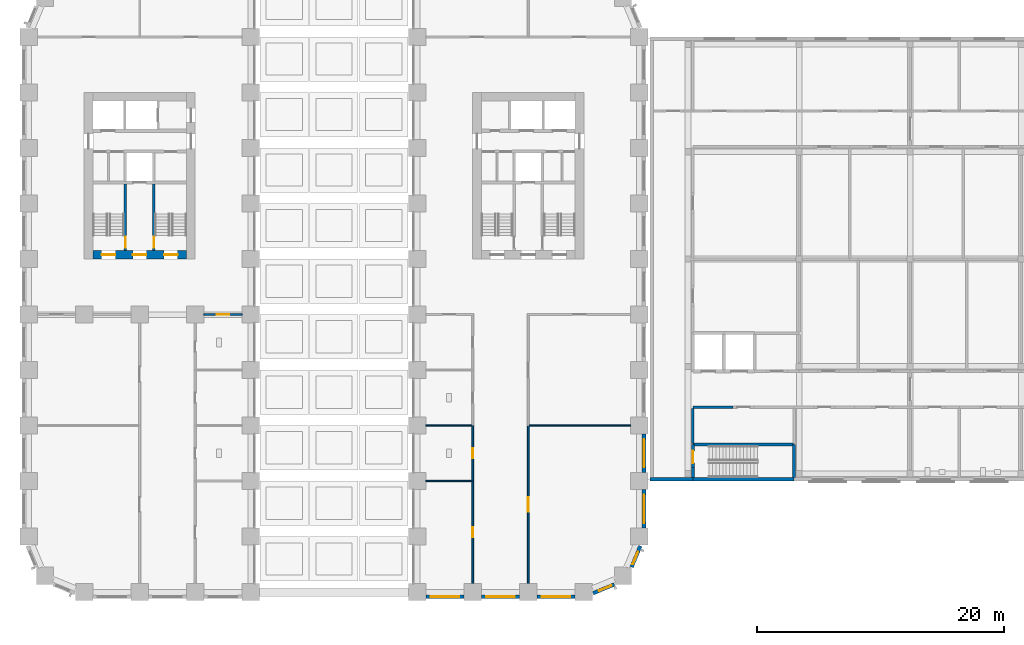
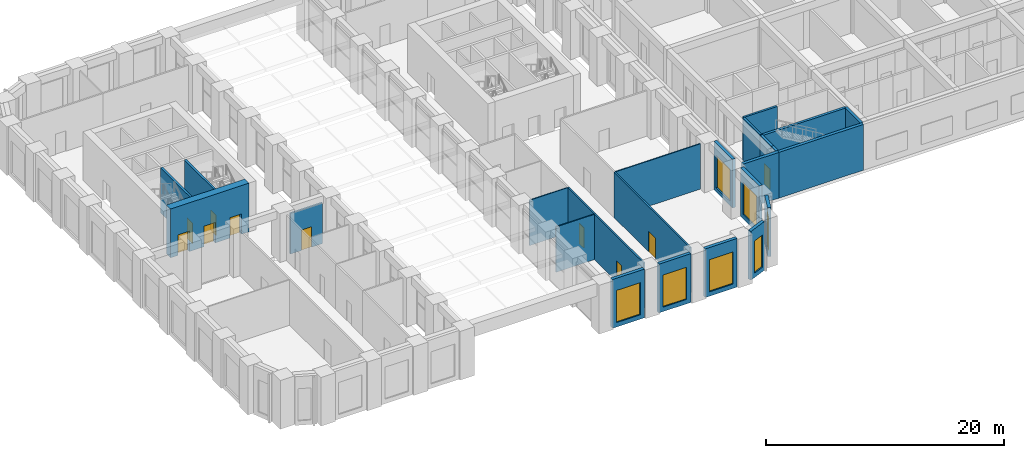
# One storey, part 9 of 24: 25 walls, 10 doors, 7 windows, 17 openings.
"""IFC4 building model written with IfcOpenShell, lengths in metres."""

from ifc_helpers import new_model, si_unit, direction, frame, frame_2d, origin, place, context, subcontext, project, spatial, rectangle, extrude, material, layer, layer_set, type_object, element, fill, save


model = new_model("IFC4")

# Units and contexts
model_context = context("Model", 3, precision=1e-05, world=origin(), true_north=direction((0.0, 1.0)))
body_context = subcontext(model_context, "Body", "Model", "MODEL_VIEW")
ifc_project = project(units=[si_unit("LENGTHUNIT", "METRE"), si_unit("AREAUNIT", "SQUARE_METRE"), si_unit("VOLUMEUNIT", "CUBIC_METRE"), si_unit("PLANEANGLEUNIT", "RADIAN"), si_unit("MASSUNIT", "GRAM", prefix="KILO")], contexts=[model_context])

# Site, building, storey
site_placement = place(None, origin())
site = spatial("IfcSite", under=ifc_project, at=site_placement, CompositionType="ELEMENT")
building_placement = place(site_placement, origin())
building = spatial("IfcBuilding", under=site, at=building_placement, Name="Girih Gate Residences", CompositionType="ELEMENT")
storey_placement = place(building_placement, frame((0.0, 0.0, 16.0)))
storey = spatial("IfcBuildingStorey", under=building, at=storey_placement, Name="L03", CompositionType="ELEMENT", Elevation=16.0)

# Wall, opening, door
ifc_material_1 = material(Name="Gypsum board on steel studs", Category="steel")
ifc_layer_1 = layer(ifc_material_1, 0.14990234375)
ifc_layer_set_1 = layer_set([ifc_layer_1], Name="Compartment wall 150 mm")
wall_type_1 = type_object("IfcWallType", Name="Compartment wall 150 mm", PredefinedType="PARTITIONING", material=ifc_layer_set_1)
wall_1_placement = place(storey_placement, frame((36.0, 0.699951171875, 0.0), z_axis=(0.0, 0.0, 1.0), x_axis=(0.0, 1.0, 0.0)))
wall_1 = element("IfcWall", 1, at=wall_1_placement, inside=storey, type_object=wall_type_1, Name="L03 partition", PredefinedType="PARTITIONING", context=body_context, shape_type="SweptSolid", body=[
    extrude(rectangle(XDim=8.300048828125, YDim=0.14990234375, at=frame_2d((4.14990234375, 0.0))), origin(), (0.0, 0.0, 1.0), 4.64990234375),
])
opening_1_placement = place(wall_1_placement, frame((3.75, 0.0, 0.0)))
opening_1 = element("IfcOpeningElement", 2, at=opening_1_placement, cuts=wall_1, Name="Opening D-L03-S-001", PredefinedType="OPENING", context=body_context, shape_type="SweptSolid", body=[
    extrude(rectangle(XDim=0.800048828125, YDim=2.10009765625, at=frame_2d((0.39990234375, 1.050048828125))), frame((0.0, 0.0849609375, 0.0), z_axis=(0.0, -1.0, 0.0), x_axis=(1.0, 0.0, 0.0)), (0.0, 0.0, 1.0), 0.169921875),
])
ifc_material_2 = material(Name="Timber", Category="wood")
door_type_1 = type_object("IfcDoorType", Name="WC and store door 800x2100", OperationType="SINGLE_SWING_LEFT", PredefinedType="DOOR", material=ifc_material_2)
door_1_placement = place(opening_1_placement, origin())
door_1 = element("IfcDoor", 3, at=door_1_placement, inside=storey, type_object=door_type_1, Name="Door L03-001", OperationType="SINGLE_SWING_LEFT", OverallHeight=2.10009765625, OverallWidth=0.800048828125, PredefinedType="DOOR", context=body_context, shape_type="SweptSolid", body=[
    extrude(rectangle(XDim=0.800048828125, YDim=2.10009765625, at=frame_2d((0.39990234375, 1.050048828125))), frame((0.0, 0.02490234375, 0.0), z_axis=(0.0, -1.0, 0.0), x_axis=(1.0, 0.0, 0.0)), (0.0, 0.0, 1.0), 0.050048828125),
])
fill(opening_1, door_1)

wall_2_placement = place(storey_placement, frame((36.0, 9.0, 0.0), z_axis=(0.0, 0.0, 1.0), x_axis=(0.0, 1.0, 0.0)))
wall_2 = element("IfcWall", 4, at=wall_2_placement, inside=storey, type_object=wall_type_1, Name="L03 partition", PredefinedType="PARTITIONING", context=body_context, shape_type="SweptSolid", body=[
    extrude(rectangle(XDim=4.5, YDim=0.14990234375, at=frame_2d((2.25, 0.0))), origin(), (0.0, 0.0, 1.0), 4.64990234375),
])
opening_2_placement = place(wall_2_placement, frame((1.85009765625, 0.0, 0.0)))
opening_2 = element("IfcOpeningElement", 5, at=opening_2_placement, cuts=wall_2, Name="Opening D-L03-S-002", PredefinedType="OPENING", context=body_context, shape_type="SweptSolid", body=[
    extrude(rectangle(XDim=0.800048828125, YDim=2.10009765625, at=frame_2d((0.39990234375, 1.050048828125))), frame((0.0, 0.0849609375, 0.0), z_axis=(0.0, -1.0, 0.0), x_axis=(1.0, 0.0, 0.0)), (0.0, 0.0, 1.0), 0.169921875),
])
door_2_placement = place(opening_2_placement, origin())
door_2 = element("IfcDoor", 6, at=door_2_placement, inside=storey, type_object=door_type_1, Name="Door L03-002", OperationType="SINGLE_SWING_RIGHT", OverallHeight=2.10009765625, OverallWidth=0.800048828125, PredefinedType="DOOR", context=body_context, shape_type="SweptSolid", body=[
    extrude(rectangle(XDim=0.800048828125, YDim=2.10009765625, at=frame_2d((0.39990234375, 1.050048828125))), frame((0.0, 0.02490234375, 0.0), z_axis=(0.0, -1.0, 0.0), x_axis=(1.0, 0.0, 0.0)), (0.0, 0.0, 1.0), 0.050048828125),
])
fill(opening_2, door_2)

wall_3_placement = place(storey_placement, frame((40.5, 13.5, 0.0), z_axis=(0.0, 0.0, 1.0), x_axis=(0.0, -1.0, 0.0)))
wall_3 = element("IfcWall", 7, at=wall_3_placement, inside=storey, type_object=wall_type_1, Name="L03 partition", PredefinedType="PARTITIONING", context=body_context, shape_type="SweptSolid", body=[
    extrude(rectangle(XDim=12.800048828125, YDim=0.14990234375, at=frame_2d((6.39990234375, 0.0))), origin(), (0.0, 0.0, 1.0), 4.64990234375),
])
opening_3_placement = place(wall_3_placement, frame((5.800048828125, 0.0, 0.0)))
opening_3 = element("IfcOpeningElement", 8, at=opening_3_placement, cuts=wall_3, Name="Opening D-L03-S-006", PredefinedType="OPENING", context=body_context, shape_type="SweptSolid", body=[
    extrude(rectangle(XDim=1.199951171875, YDim=2.10009765625, at=frame_2d((0.60009765625, 1.050048828125))), frame((0.0, 0.0849609375, 0.0), z_axis=(0.0, -1.0, 0.0), x_axis=(1.0, 0.0, 0.0)), (0.0, 0.0, 1.0), 0.169921875),
])
ifc_material_3 = material(Name="Timber, fire-rated core", Category="wood")
door_type_2 = type_object("IfcDoorType", Name="Gallery fire door 1200x2100 FD30S", OperationType="SINGLE_SWING_LEFT", PredefinedType="DOOR", material=ifc_material_3)
door_3_placement = place(opening_3_placement, origin())
door_3 = element("IfcDoor", 9, at=door_3_placement, inside=storey, type_object=door_type_2, Name="Door L03-006", OperationType="SINGLE_SWING_RIGHT", OverallHeight=2.10009765625, OverallWidth=1.199951171875, PredefinedType="DOOR", context=body_context, shape_type="SweptSolid", body=[
    extrude(rectangle(XDim=1.199951171875, YDim=2.10009765625, at=frame_2d((0.60009765625, 1.050048828125))), frame((0.0, 0.02490234375, 0.0), z_axis=(0.0, -1.0, 0.0), x_axis=(1.0, 0.0, 0.0)), (0.0, 0.0, 1.0), 0.050048828125),
])
fill(opening_3, door_3)

wall_4_placement = place(storey_placement, frame((17.300048828125, 22.5, 0.0), z_axis=(0.0, 0.0, 1.0), x_axis=(-1.0, 0.0, 0.0)))
wall_4 = element("IfcWall", 10, at=wall_4_placement, inside=storey, type_object=wall_type_1, Name="L03 partition", PredefinedType="PARTITIONING", context=body_context, shape_type="SweptSolid", body=[
    extrude(rectangle(XDim=3.10009765625, YDim=0.14990234375, at=frame_2d((1.550048828125, 0.0))), origin(), (0.0, 0.0, 1.0), 4.179931640625),
])
opening_4_placement = place(wall_4_placement, frame((1.050048828125, 0.0, 0.0)))
opening_4 = element("IfcOpeningElement", 11, at=opening_4_placement, cuts=wall_4, Name="Opening D-L03-S-014", PredefinedType="OPENING", context=body_context, shape_type="SweptSolid", body=[
    extrude(rectangle(XDim=1.0, YDim=2.10009765625, at=frame_2d((0.5, 1.050048828125))), frame((0.0, 0.0849609375, 0.0), z_axis=(0.0, -1.0, 0.0), x_axis=(1.0, 0.0, 0.0)), (0.0, 0.0, 1.0), 0.169921875),
])
door_type_3 = type_object("IfcDoorType", Name="Amenity door 1000x2100 FD30S", OperationType="SINGLE_SWING_LEFT", PredefinedType="DOOR", material=ifc_material_3)
door_4_placement = place(opening_4_placement, origin())
door_4 = element("IfcDoor", 12, at=door_4_placement, inside=storey, type_object=door_type_3, Name="Door L03-014", OperationType="SINGLE_SWING_RIGHT", OverallHeight=2.10009765625, OverallWidth=1.0, PredefinedType="DOOR", context=body_context, shape_type="SweptSolid", body=[
    extrude(rectangle(XDim=1.0, YDim=2.10009765625, at=frame_2d((0.5, 1.050048828125))), frame((0.0, 0.02490234375, 0.0), z_axis=(0.0, -1.0, 0.0), x_axis=(1.0, 0.0, 0.0)), (0.0, 0.0, 1.0), 0.050048828125),
])
fill(opening_4, door_4)

# Wall, openings, doors
ifc_material_4 = material(Name="Concrete C60/75", Category="concrete")
ifc_layer_2 = layer(ifc_material_4, 0.699951171875)
ifc_layer_set_2 = layer_set([ifc_layer_2], Name="Core wall RC 700 Concrete C60/75")
wall_type_2 = type_object("IfcWallType", Name="Core wall RC 700 Concrete C60/75", PredefinedType="SOLIDWALL", material=ifc_layer_set_2)
wall_5_placement = place(storey_placement, frame((5.199951171875, 27.35009765625, 0.0), z_axis=(0.0, 0.0, 1.0), x_axis=(1.0, 0.0, 0.0)))
wall_5 = element("IfcWall", 13, at=wall_5_placement, inside=storey, type_object=wall_type_2, Name="Core wall W-S L03", PredefinedType="SOLIDWALL", context=body_context, shape_type="SweptSolid", body=[
    extrude(rectangle(XDim=7.60009765625, YDim=0.699951171875, at=frame_2d((3.800048828125, 0.0))), origin(), (0.0, 0.0, 1.0), 5.0),
])
opening_5_placement = place(wall_5_placement, frame((0.72509765625, 0.0, 0.0)))
opening_5 = element("IfcOpeningElement", 14, at=opening_5_placement, cuts=wall_5, Name="Opening D-L03-W-009", PredefinedType="OPENING", context=body_context, shape_type="SweptSolid", body=[
    extrude(rectangle(XDim=1.10009765625, YDim=2.10009765625, at=frame_2d((0.550048828125, 1.050048828125))), frame((0.0, 0.35986328125, 0.0), z_axis=(0.0, -1.0, 0.0), x_axis=(1.0, 0.0, 0.0)), (0.0, 0.0, 1.0), 0.719970703125),
])
opening_6_placement = place(wall_5_placement, frame((3.25, 0.0, 0.0)))
opening_6 = element("IfcOpeningElement", 15, at=opening_6_placement, cuts=wall_5, Name="Opening D-L03-W-010", PredefinedType="OPENING", context=body_context, shape_type="SweptSolid", body=[
    extrude(rectangle(XDim=1.10009765625, YDim=2.10009765625, at=frame_2d((0.550048828125, 1.050048828125))), frame((0.0, 0.35986328125, 0.0), z_axis=(0.0, -1.0, 0.0), x_axis=(1.0, 0.0, 0.0)), (0.0, 0.0, 1.0), 0.719970703125),
])
opening_7_placement = place(wall_5_placement, frame((5.77490234375, 0.0, 0.0)))
opening_7 = element("IfcOpeningElement", 16, at=opening_7_placement, cuts=wall_5, Name="Opening D-L03-W-011", PredefinedType="OPENING", context=body_context, shape_type="SweptSolid", body=[
    extrude(rectangle(XDim=1.10009765625, YDim=2.10009765625, at=frame_2d((0.550048828125, 1.050048828125))), frame((0.0, 0.35986328125, 0.0), z_axis=(0.0, -1.0, 0.0), x_axis=(1.0, 0.0, 0.0)), (0.0, 0.0, 1.0), 0.719970703125),
])
ifc_material_5 = material(Name="Painted steel, fire-resisting", Category="steel")
door_type_4 = type_object("IfcDoorType", Name="Fire door 1100x2100", OperationType="SINGLE_SWING_LEFT", PredefinedType="DOOR", material=ifc_material_5)
door_5_placement = place(opening_5_placement, origin())
door_5 = element("IfcDoor", 17, at=door_5_placement, inside=storey, type_object=door_type_4, Name="L03 W core door sta-out", OperationType="SINGLE_SWING_LEFT", OverallHeight=2.10009765625, OverallWidth=1.10009765625, PredefinedType="DOOR", context=body_context, shape_type="SweptSolid", body=[
    extrude(rectangle(XDim=1.10009765625, YDim=2.10009765625, at=frame_2d((0.550048828125, 1.050048828125))), frame((0.0, 0.02490234375, 0.0), z_axis=(0.0, -1.0, 0.0), x_axis=(1.0, 0.0, 0.0)), (0.0, 0.0, 1.0), 0.050048828125),
])
fill(opening_5, door_5)
door_6_placement = place(opening_6_placement, origin())
door_6 = element("IfcDoor", 18, at=door_6_placement, inside=storey, type_object=door_type_4, Name="L03 W core door ffl-out", OperationType="SINGLE_SWING_LEFT", OverallHeight=2.10009765625, OverallWidth=1.10009765625, PredefinedType="DOOR", context=body_context, shape_type="SweptSolid", body=[
    extrude(rectangle(XDim=1.10009765625, YDim=2.10009765625, at=frame_2d((0.550048828125, 1.050048828125))), frame((0.0, 0.02490234375, 0.0), z_axis=(0.0, -1.0, 0.0), x_axis=(1.0, 0.0, 0.0)), (0.0, 0.0, 1.0), 0.050048828125),
])
fill(opening_6, door_6)
door_7_placement = place(opening_7_placement, origin())
door_7 = element("IfcDoor", 19, at=door_7_placement, inside=storey, type_object=door_type_4, Name="L03 W core door stb-out", OperationType="SINGLE_SWING_LEFT", OverallHeight=2.10009765625, OverallWidth=1.10009765625, PredefinedType="DOOR", context=body_context, shape_type="SweptSolid", body=[
    extrude(rectangle(XDim=1.10009765625, YDim=2.10009765625, at=frame_2d((0.550048828125, 1.050048828125))), frame((0.0, 0.02490234375, 0.0), z_axis=(0.0, -1.0, 0.0), x_axis=(1.0, 0.0, 0.0)), (0.0, 0.0, 1.0), 0.050048828125),
])
fill(opening_7, door_7)

# Walls
ifc_material_6 = material(Name="Fire-rated gypsum partition")
ifc_layer_3 = layer(ifc_material_6, 0.199951171875)
ifc_layer_set_3 = layer_set([ifc_layer_3], Name="HC Corridor wall 200 EI 60")
wall_type_3 = type_object("IfcWallType", Name="HC Corridor wall 200 EI 60", PredefinedType="PARTITIONING", material=ifc_layer_set_3)
wall_6_placement = place(storey_placement, frame((53.85009765625, 15.0, 0.0), z_axis=(0.0, 0.0, 1.0), x_axis=(1.0, 0.0, 0.0)))
element("IfcWall", 20, at=wall_6_placement, inside=storey, type_object=wall_type_3, Name="L03 wall x15.00/53.9", PredefinedType="PARTITIONING", context=body_context, shape_type="SweptSolid", body=[
    extrude(rectangle(XDim=3.25, YDim=0.199951171875, at=frame_2d((1.625, 0.0))), origin(), (0.0, 0.0, 1.0), 4.699951171875),
])
wall_7_placement = place(storey_placement, frame((53.85009765625, 12.050048828125, 0.0), z_axis=(0.0, 0.0, 1.0), x_axis=(0.0, 1.0, 0.0)))
element("IfcWall", 21, at=wall_7_placement, inside=storey, type_object=wall_type_3, Name="L03 wall y53.85/12.1", PredefinedType="PARTITIONING", context=body_context, shape_type="SweptSolid", body=[
    extrude(rectangle(XDim=2.849853515625, YDim=0.199951171875, at=frame_2d((1.4248046875, 0.0))), origin(), (0.0, 0.0, 1.0), 4.699951171875),
])
ifc_material_7 = material(Name="Precast concrete C40/50", Category="concrete")
ifc_layer_4 = layer(ifc_material_7, 0.300048828125)
ifc_layer_set_4 = layer_set([ifc_layer_4], Name="HC Facade wall 300")
wall_type_4 = type_object("IfcWallType", Name="HC Facade wall 300", PredefinedType="SOLIDWALL", material=ifc_layer_set_4)
wall_8_placement = place(storey_placement, frame((53.85009765625, 9.14990234375, 0.0), z_axis=(0.0, 0.0, 1.0), x_axis=(-1.0, 0.0, 0.0)))
element("IfcWall", 22, at=wall_8_placement, inside=storey, type_object=wall_type_4, Name="L03 south facade wall", PredefinedType="SOLIDWALL", context=body_context, shape_type="SweptSolid", body=[
    extrude(rectangle(XDim=3.5, YDim=0.300048828125, at=frame_2d((1.75, 0.0))), origin(), (0.0, 0.0, 1.0), 4.699951171875),
])
ifc_material_8 = material(Name="Concrete C40/50", Category="concrete")
ifc_layer_5 = layer(ifc_material_8, 0.25)
ifc_layer_set_5 = layer_set([ifc_layer_5], Name="HC Shaft wall 250 C40/50")
wall_type_5 = type_object("IfcWallType", Name="HC Shaft wall 250 C40/50", PredefinedType="SHEAR", material=ifc_layer_set_5)
wall_9_placement = place(storey_placement, frame((53.85009765625, 11.949951171875, 0.0), z_axis=(0.0, 0.0, 1.0), x_axis=(1.0, 0.0, 0.0)))
element("IfcWall", 23, at=wall_9_placement, inside=storey, type_object=wall_type_5, Name="L03 wall x11.95/53.9", PredefinedType="SHEAR", context=body_context, shape_type="SweptSolid", body=[
    extrude(rectangle(XDim=8.199951171875, YDim=0.25, at=frame_2d((4.10009765625, 0.0))), origin(), (0.0, 0.0, 1.0), 4.699951171875),
])
wall_10_placement = place(storey_placement, frame((53.85009765625, 9.300048828125, 0.0), z_axis=(0.0, 0.0, 1.0), x_axis=(0.0, 1.0, 0.0)))
element("IfcWall", 24, at=wall_10_placement, inside=storey, type_object=wall_type_5, Name="L03 wall y53.85/9.3", PredefinedType="SHEAR", context=body_context, shape_type="SweptSolid", body=[
    extrude(rectangle(XDim=0.800048828125, YDim=0.25, at=frame_2d((0.39990234375, 0.0))), origin(), (0.0, 0.0, 1.0), 4.699951171875),
])

# Wall, opening, door
wall_11_placement = place(storey_placement, frame((53.85009765625, 10.10009765625, 0.0), z_axis=(0.0, 0.0, 1.0), x_axis=(0.0, 1.0, 0.0)))
wall_11 = element("IfcWall", 25, at=wall_11_placement, inside=storey, type_object=wall_type_5, Name="L03 wall y53.85/10.1", PredefinedType="SHEAR", context=body_context, shape_type="SweptSolid", body=[
    extrude(rectangle(XDim=1.849853515625, YDim=0.25, at=frame_2d((0.9248046875, 0.0))), origin(), (0.0, 0.0, 1.0), 4.699951171875),
])
opening_8_placement = place(wall_11_placement, frame((0.35009765625, 0.0, 0.0)))
opening_8 = element("IfcOpeningElement", 26, at=opening_8_placement, cuts=wall_11, Name="Opening HC-L03-D01", PredefinedType="OPENING", context=body_context, shape_type="SweptSolid", body=[
    extrude(rectangle(XDim=1.0, YDim=2.10009765625, at=frame_2d((0.5, 1.050048828125))), frame((0.0, 0.135009765625, 0.0), z_axis=(0.0, -1.0, 0.0), x_axis=(1.0, 0.0, 0.0)), (0.0, 0.0, 1.0), 0.27001953125),
])
ifc_material_9 = material(Name="Steel door set", Category="steel")
door_type_5 = type_object("IfcDoorType", Name="HC Stair door 1000x2100 FD60", OperationType="NOTDEFINED", PredefinedType="DOOR", material=ifc_material_9)
door_8_placement = place(opening_8_placement, origin())
door_8 = element("IfcDoor", 27, at=door_8_placement, inside=storey, type_object=door_type_5, Name="L03 Stair A door", OperationType="SINGLE_SWING_LEFT", OverallHeight=2.10009765625, OverallWidth=1.0, PredefinedType="DOOR", context=body_context, shape_type="SweptSolid", body=[
    extrude(rectangle(XDim=1.0, YDim=2.10009765625, at=frame_2d((0.5, 1.050048828125))), frame((0.0, 0.02490234375, 0.0), z_axis=(0.0, -1.0, 0.0), x_axis=(1.0, 0.0, 0.0)), (0.0, 0.0, 1.0), 0.050048828125),
])
fill(opening_8, door_8)

# Walls
wall_12_placement = place(storey_placement, frame((62.050048828125, 9.300048828125, 0.0), z_axis=(0.0, 0.0, 1.0), x_axis=(0.0, 1.0, 0.0)))
element("IfcWall", 28, at=wall_12_placement, inside=storey, type_object=wall_type_5, Name="L03 wall y62.05/9.3", PredefinedType="SHEAR", context=body_context, shape_type="SweptSolid", body=[
    extrude(rectangle(XDim=2.64990234375, YDim=0.25, at=frame_2d((1.324951171875, 0.0))), origin(), (0.0, 0.0, 1.0), 4.699951171875),
])
ifc_layer_6 = layer(ifc_material_7, 0.300048828125)
ifc_layer_set_6 = layer_set([ifc_layer_6], Name="HC Stair shaft facade wall 300")
wall_type_6 = type_object("IfcWallType", Name="HC Stair shaft facade wall 300", PredefinedType="SHEAR", material=ifc_layer_set_6)
wall_13_placement = place(storey_placement, frame((62.050048828125, 9.14990234375, 0.0), z_axis=(0.0, 0.0, 1.0), x_axis=(-1.0, 0.0, 0.0)))
element("IfcWall", 29, at=wall_13_placement, inside=storey, type_object=wall_type_6, Name="L03 south facade wall over stair A", PredefinedType="SHEAR", context=body_context, shape_type="SweptSolid", body=[
    extrude(rectangle(XDim=8.199951171875, YDim=0.300048828125, at=frame_2d((4.10009765625, 0.0))), origin(), (0.0, 0.0, 1.0), 4.699951171875),
])
ifc_layer_7 = layer(ifc_material_1, 0.10009765625)
ifc_layer_set_7 = layer_set([ifc_layer_7], Name="Partition 100 mm")
wall_type_7 = type_object("IfcWallType", Name="Partition 100 mm", PredefinedType="PARTITIONING", material=ifc_layer_set_7)
for number, where, z_axis, x_axis, name in (
    (30, (32.199951171875, 9.0, 0.0), (0.0, 0.0, 1.0), (1.0, 0.0, 0.0), "L03 partition"),
    (31, (32.199951171875, 13.5, 0.0), (0.0, 0.0, 1.0), (1.0, 0.0, 0.0), "L03 partition"),
):
    element("IfcWall", number, at=place(storey_placement, frame(where, z_axis=z_axis, x_axis=x_axis)), inside=storey, type_object=wall_type_7, Name=name, PredefinedType="PARTITIONING", context=body_context, shape_type="SweptSolid", body=[
        extrude(rectangle(XDim=3.72509765625, YDim=0.10009765625, at=frame_2d((1.862548828125, 0.0))), origin(), (0.0, 0.0, 1.0), 4.64990234375),
    ])
wall_14_placement = place(storey_placement, frame((40.574951171875, 13.5, 0.0), z_axis=(0.0, 0.0, 1.0), x_axis=(1.0, 0.0, 0.0)))
element("IfcWall", 32, at=wall_14_placement, inside=storey, type_object=wall_type_7, Name="L03 partition", PredefinedType="PARTITIONING", context=body_context, shape_type="SweptSolid", body=[
    extrude(rectangle(XDim=8.22509765625, YDim=0.10009765625, at=frame_2d((4.112548828125, 0.0))), origin(), (0.0, 0.0, 1.0), 4.64990234375),
])

# Wall, opening, window
ifc_material_10 = material(Name="Precast concrete C50/60", Category="concrete")
ifc_layer_8 = layer(ifc_material_10, 0.080078125, Name="Outer leaf")
ifc_material_11 = material(Name="Rigid PIR insulation")
ifc_layer_9 = layer(ifc_material_11, 0.14990234375, Name="Insulation")
ifc_layer_10 = layer(ifc_material_7, 0.070068359375, Name="Inner leaf")
ifc_layer_set_8 = layer_set([ifc_layer_8, ifc_layer_9, ifc_layer_10], Name="Precast concrete C50/60 external wall 300")
wall_type_8 = type_object("IfcWallType", Name="Precast concrete C50/60 external wall 300", PredefinedType="SOLIDWALL", material=ifc_layer_set_8)
wall_15_placement = place(storey_placement, frame((35.300048828125, -0.375, 0.0), z_axis=(0.0, 0.0, 1.0), x_axis=(-1.0, 0.0, 0.0)))
wall_15 = element("IfcWall", 33, at=wall_15_placement, inside=storey, type_object=wall_type_8, Name="External wall S0315_0000.0", PredefinedType="SOLIDWALL", context=body_context, shape_type="SweptSolid", body=[
    extrude(rectangle(XDim=3.10009765625, YDim=0.300048828125, at=frame_2d((1.550048828125, 0.0))), origin(), (0.0, 0.0, 1.0), 5.0),
])
opening_9_placement = place(wall_15_placement, frame((0.39990234375, 0.0, 0.449951171875)))
opening_9 = element("IfcOpeningElement", 34, at=opening_9_placement, cuts=wall_15, Name="Opening W-3", PredefinedType="OPENING", context=body_context, shape_type="SweptSolid", body=[
    extrude(rectangle(XDim=2.300048828125, YDim=3.300048828125, at=frame_2d((1.14990234375, 1.64990234375))), frame((0.0, 0.159912109375, 0.0), z_axis=(0.0, -1.0, 0.0), x_axis=(1.0, 0.0, 0.0)), (0.0, 0.0, 1.0), 0.320068359375),
])
ifc_material_12 = material(Name="Double glazing in aluminium frame", Category="aluminium")
window_type_1 = type_object("IfcWindowType", Name="Window W-3 2300x3300", PartitioningType="SINGLE_PANEL", PredefinedType="WINDOW", material=ifc_material_12)
window_1_placement = place(opening_9_placement, origin())
window_1 = element("IfcWindow", 35, at=window_1_placement, inside=storey, type_object=window_type_1, Name="Window W-3 S0315_0000.0", OverallHeight=3.300048828125, OverallWidth=2.300048828125, PartitioningType="SINGLE_PANEL", PredefinedType="WINDOW", context=body_context, shape_type="SweptSolid", body=[
    extrude(rectangle(XDim=2.300048828125, YDim=3.300048828125, at=frame_2d((1.14990234375, 1.64990234375))), frame((0.0, 0.030029296875, 0.0), z_axis=(0.0, -1.0, 0.0), x_axis=(1.0, 0.0, 0.0)), (0.0, 0.0, 1.0), 0.06005859375),
])
fill(opening_9, window_1)

wall_16_placement = place(storey_placement, frame((39.800048828125, -0.375, 0.0), z_axis=(0.0, 0.0, 1.0), x_axis=(-1.0, 0.0, 0.0)))
wall_16 = element("IfcWall", 36, at=wall_16_placement, inside=storey, type_object=wall_type_8, Name="External wall S0315_0000.1", PredefinedType="SOLIDWALL", context=body_context, shape_type="SweptSolid", body=[
    extrude(rectangle(XDim=3.10009765625, YDim=0.300048828125, at=frame_2d((1.550048828125, 0.0))), origin(), (0.0, 0.0, 1.0), 5.0),
])
opening_10_placement = place(wall_16_placement, frame((0.39990234375, 0.0, 0.449951171875)))
opening_10 = element("IfcOpeningElement", 37, at=opening_10_placement, cuts=wall_16, Name="Opening W-3", PredefinedType="OPENING", context=body_context, shape_type="SweptSolid", body=[
    extrude(rectangle(XDim=2.300048828125, YDim=3.300048828125, at=frame_2d((1.14990234375, 1.64990234375))), frame((0.0, 0.159912109375, 0.0), z_axis=(0.0, -1.0, 0.0), x_axis=(1.0, 0.0, 0.0)), (0.0, 0.0, 1.0), 0.320068359375),
])
window_2_placement = place(opening_10_placement, origin())
window_2 = element("IfcWindow", 38, at=window_2_placement, inside=storey, type_object=window_type_1, Name="Window W-3 S0315_0000.1", OverallHeight=3.300048828125, OverallWidth=2.300048828125, PartitioningType="SINGLE_PANEL", PredefinedType="WINDOW", context=body_context, shape_type="SweptSolid", body=[
    extrude(rectangle(XDim=2.300048828125, YDim=3.300048828125, at=frame_2d((1.14990234375, 1.64990234375))), frame((0.0, 0.030029296875, 0.0), z_axis=(0.0, -1.0, 0.0), x_axis=(1.0, 0.0, 0.0)), (0.0, 0.0, 1.0), 0.06005859375),
])
fill(opening_10, window_2)

wall_17_placement = place(storey_placement, frame((44.300048828125, -0.375, 0.0), z_axis=(0.0, 0.0, 1.0), x_axis=(-1.0, 0.0, 0.0)))
wall_17 = element("IfcWall", 39, at=wall_17_placement, inside=storey, type_object=wall_type_8, Name="External wall S0315_0000.2", PredefinedType="SOLIDWALL", context=body_context, shape_type="SweptSolid", body=[
    extrude(rectangle(XDim=3.10009765625, YDim=0.300048828125, at=frame_2d((1.550048828125, 0.0))), origin(), (0.0, 0.0, 1.0), 5.0),
])
opening_11_placement = place(wall_17_placement, frame((0.39990234375, 0.0, 0.449951171875)))
opening_11 = element("IfcOpeningElement", 40, at=opening_11_placement, cuts=wall_17, Name="Opening W-3", PredefinedType="OPENING", context=body_context, shape_type="SweptSolid", body=[
    extrude(rectangle(XDim=2.300048828125, YDim=3.300048828125, at=frame_2d((1.14990234375, 1.64990234375))), frame((0.0, 0.159912109375, 0.0), z_axis=(0.0, -1.0, 0.0), x_axis=(1.0, 0.0, 0.0)), (0.0, 0.0, 1.0), 0.320068359375),
])
window_3_placement = place(opening_11_placement, origin())
window_3 = element("IfcWindow", 41, at=window_3_placement, inside=storey, type_object=window_type_1, Name="Window W-3 S0315_0000.2", OverallHeight=3.300048828125, OverallWidth=2.300048828125, PartitioningType="SINGLE_PANEL", PredefinedType="WINDOW", context=body_context, shape_type="SweptSolid", body=[
    extrude(rectangle(XDim=2.300048828125, YDim=3.300048828125, at=frame_2d((1.14990234375, 1.64990234375))), frame((0.0, 0.030029296875, 0.0), z_axis=(0.0, -1.0, 0.0), x_axis=(1.0, 0.0, 0.0)), (0.0, 0.0, 1.0), 0.06005859375),
])
fill(opening_11, window_3)

wall_18_placement = place(storey_placement, frame((47.48046875, 0.62158203125, 0.0), z_axis=(0.0, 0.0, 1.0), x_axis=(-0.923903565336, -0.38262540684, 0.0)))
wall_18 = element("IfcWall", 42, at=wall_18_placement, inside=storey, type_object=wall_type_8, Name="External wall SE0450_0000.0", PredefinedType="SOLIDWALL", context=body_context, shape_type="SweptSolid", body=[
    extrude(rectangle(XDim=1.864990234375, YDim=0.300048828125, at=frame_2d((0.9326171875, 0.0))), origin(), (0.0, 0.0, 1.0), 5.0),
])
opening_12_placement = place(wall_18_placement, frame((0.257568359375, 0.0, 0.449951171875)))
opening_12 = element("IfcOpeningElement", 43, at=opening_12_placement, cuts=wall_18, Name="Opening W-2A", PredefinedType="OPENING", context=body_context, shape_type="SweptSolid", body=[
    extrude(rectangle(XDim=1.10009765625, YDim=3.300048828125, at=frame_2d((0.550048828125, 1.64990234375))), frame((0.0, 0.159912109375, 0.0), z_axis=(0.0, -1.0, 0.0), x_axis=(1.0, 0.0, 0.0)), (0.0, 0.0, 1.0), 0.320068359375),
])
window_type_2 = type_object("IfcWindowType", Name="Window W-2A 1100x3300", PartitioningType="SINGLE_PANEL", PredefinedType="WINDOW", material=ifc_material_12)
window_4_placement = place(opening_12_placement, origin())
window_4 = element("IfcWindow", 44, at=window_4_placement, inside=storey, type_object=window_type_2, Name="Window W-2A SE0450_0000.0", OverallHeight=3.300048828125, OverallWidth=1.10009765625, PartitioningType="SINGLE_PANEL", PredefinedType="WINDOW", context=body_context, shape_type="SweptSolid", body=[
    extrude(rectangle(XDim=1.10009765625, YDim=3.300048828125, at=frame_2d((0.550048828125, 1.64990234375))), frame((0.0, 0.030029296875, 0.0), z_axis=(0.0, -1.0, 0.0), x_axis=(1.0, 0.0, 0.0)), (0.0, 0.0, 1.0), 0.06005859375),
])
fill(opening_12, window_4)

wall_19_placement = place(storey_placement, frame((49.59228515625, 3.74267578125, 0.0), z_axis=(0.0, 0.0, 1.0), x_axis=(-0.382737135771, -0.923857286003, 0.0)))
wall_19 = element("IfcWall", 45, at=wall_19_placement, inside=storey, type_object=wall_type_8, Name="External wall SE0482_0013.0", PredefinedType="SOLIDWALL", context=body_context, shape_type="SweptSolid", body=[
    extrude(rectangle(XDim=1.865234375, YDim=0.300048828125, at=frame_2d((0.9326171875, 0.0))), origin(), (0.0, 0.0, 1.0), 5.0),
])
opening_13_placement = place(wall_19_placement, frame((0.507568359375, 0.0, 0.449951171875)))
opening_13 = element("IfcOpeningElement", 46, at=opening_13_placement, cuts=wall_19, Name="Opening W-2A", PredefinedType="OPENING", context=body_context, shape_type="SweptSolid", body=[
    extrude(rectangle(XDim=1.10009765625, YDim=3.300048828125, at=frame_2d((0.550048828125, 1.64990234375))), frame((0.0, 0.159912109375, 0.0), z_axis=(0.0, -1.0, 0.0), x_axis=(1.0, 0.0, 0.0)), (0.0, 0.0, 1.0), 0.320068359375),
])
window_5_placement = place(opening_13_placement, origin())
window_5 = element("IfcWindow", 47, at=window_5_placement, inside=storey, type_object=window_type_2, Name="Window W-2A SE0482_0013.0", OverallHeight=3.300048828125, OverallWidth=1.10009765625, PartitioningType="SINGLE_PANEL", PredefinedType="WINDOW", context=body_context, shape_type="SweptSolid", body=[
    extrude(rectangle(XDim=1.10009765625, YDim=3.300048828125, at=frame_2d((0.550048828125, 1.64990234375))), frame((0.0, 0.030029296875, 0.0), z_axis=(0.0, -1.0, 0.0), x_axis=(1.0, 0.0, 0.0)), (0.0, 0.0, 1.0), 0.06005859375),
])
fill(opening_13, window_5)

wall_20_placement = place(storey_placement, frame((49.875, 8.300048828125, 0.0), z_axis=(0.0, 0.0, 1.0), x_axis=(0.0, -1.0, 0.0)))
wall_20 = element("IfcWall", 48, at=wall_20_placement, inside=storey, type_object=wall_type_8, Name="External wall E0495_0045.0", PredefinedType="SOLIDWALL", context=body_context, shape_type="SweptSolid", body=[
    extrude(rectangle(XDim=3.10009765625, YDim=0.300048828125, at=frame_2d((1.550048828125, 0.0))), origin(), (0.0, 0.0, 1.0), 5.0),
])
opening_14_placement = place(wall_20_placement, frame((0.39990234375, 0.0, 0.449951171875)))
opening_14 = element("IfcOpeningElement", 49, at=opening_14_placement, cuts=wall_20, Name="Opening W-3", PredefinedType="OPENING", context=body_context, shape_type="SweptSolid", body=[
    extrude(rectangle(XDim=2.300048828125, YDim=3.300048828125, at=frame_2d((1.14990234375, 1.64990234375))), frame((0.0, 0.159912109375, 0.0), z_axis=(0.0, -1.0, 0.0), x_axis=(1.0, 0.0, 0.0)), (0.0, 0.0, 1.0), 0.320068359375),
])
window_6_placement = place(opening_14_placement, origin())
window_6 = element("IfcWindow", 50, at=window_6_placement, inside=storey, type_object=window_type_1, Name="Window W-3 E0495_0045.0", OverallHeight=3.300048828125, OverallWidth=2.300048828125, PartitioningType="SINGLE_PANEL", PredefinedType="WINDOW", context=body_context, shape_type="SweptSolid", body=[
    extrude(rectangle(XDim=2.300048828125, YDim=3.300048828125, at=frame_2d((1.14990234375, 1.64990234375))), frame((0.0, 0.030029296875, 0.0), z_axis=(0.0, -1.0, 0.0), x_axis=(1.0, 0.0, 0.0)), (0.0, 0.0, 1.0), 0.06005859375),
])
fill(opening_14, window_6)

wall_21_placement = place(storey_placement, frame((49.875, 12.800048828125, 0.0), z_axis=(0.0, 0.0, 1.0), x_axis=(0.0, -1.0, 0.0)))
wall_21 = element("IfcWall", 51, at=wall_21_placement, inside=storey, type_object=wall_type_8, Name="External wall E0495_0045.1", PredefinedType="SOLIDWALL", context=body_context, shape_type="SweptSolid", body=[
    extrude(rectangle(XDim=3.10009765625, YDim=0.300048828125, at=frame_2d((1.550048828125, 0.0))), origin(), (0.0, 0.0, 1.0), 5.0),
])
opening_15_placement = place(wall_21_placement, frame((0.39990234375, 0.0, 0.449951171875)))
opening_15 = element("IfcOpeningElement", 52, at=opening_15_placement, cuts=wall_21, Name="Opening W-3", PredefinedType="OPENING", context=body_context, shape_type="SweptSolid", body=[
    extrude(rectangle(XDim=2.300048828125, YDim=3.300048828125, at=frame_2d((1.14990234375, 1.64990234375))), frame((0.0, 0.159912109375, 0.0), z_axis=(0.0, -1.0, 0.0), x_axis=(1.0, 0.0, 0.0)), (0.0, 0.0, 1.0), 0.320068359375),
])
window_7_placement = place(opening_15_placement, origin())
window_7 = element("IfcWindow", 53, at=window_7_placement, inside=storey, type_object=window_type_1, Name="Window W-3 E0495_0045.1", OverallHeight=3.300048828125, OverallWidth=2.300048828125, PartitioningType="SINGLE_PANEL", PredefinedType="WINDOW", context=body_context, shape_type="SweptSolid", body=[
    extrude(rectangle(XDim=2.300048828125, YDim=3.300048828125, at=frame_2d((1.14990234375, 1.64990234375))), frame((0.0, 0.030029296875, 0.0), z_axis=(0.0, -1.0, 0.0), x_axis=(1.0, 0.0, 0.0)), (0.0, 0.0, 1.0), 0.06005859375),
])
fill(opening_15, window_7)

# Wall, opening, door
ifc_layer_11 = layer(ifc_material_8, 0.199951171875)
ifc_layer_set_9 = layer_set([ifc_layer_11], Name="Shaft wall 200")
wall_type_9 = type_object("IfcWallType", Name="Shaft wall 200", PredefinedType="SOLIDWALL", material=ifc_layer_set_9)
wall_22_placement = place(storey_placement, frame((7.85009765625, 27.699951171875, 0.0), z_axis=(0.0, 0.0, 1.0), x_axis=(0.0, 1.0, 0.0)))
wall_22 = element("IfcWall", 54, at=wall_22_placement, inside=storey, type_object=wall_type_9, Name="L03 W core wall V1a", PredefinedType="SOLIDWALL", context=body_context, shape_type="SweptSolid", body=[
    extrude(rectangle(XDim=5.400146484375, YDim=0.199951171875, at=frame_2d((2.7001953125, 0.0))), origin(), (0.0, 0.0, 1.0), 4.64990234375),
])
opening_16_placement = place(wall_22_placement, frame((0.199951171875, 0.0, 0.0)))
opening_16 = element("IfcOpeningElement", 55, at=opening_16_placement, cuts=wall_22, Name="Opening D-L03-W-001", PredefinedType="OPENING", context=body_context, shape_type="SweptSolid", body=[
    extrude(rectangle(XDim=0.89990234375, YDim=2.10009765625, at=frame_2d((0.449951171875, 1.050048828125))), frame((0.0, 0.10986328125, 0.0), z_axis=(0.0, -1.0, 0.0), x_axis=(1.0, 0.0, 0.0)), (0.0, 0.0, 1.0), 0.219970703125),
])
door_type_6 = type_object("IfcDoorType", Name="Fire door 900x2100", OperationType="SINGLE_SWING_LEFT", PredefinedType="DOOR", material=ifc_material_5)
door_9_placement = place(opening_16_placement, origin())
door_9 = element("IfcDoor", 56, at=door_9_placement, inside=storey, type_object=door_type_6, Name="L03 W door stair 1 to firefighting lobby", OperationType="SINGLE_SWING_LEFT", OverallHeight=2.10009765625, OverallWidth=0.89990234375, PredefinedType="DOOR", context=body_context, shape_type="SweptSolid", body=[
    extrude(rectangle(XDim=0.89990234375, YDim=2.10009765625, at=frame_2d((0.449951171875, 1.050048828125))), frame((0.0, 0.02490234375, 0.0), z_axis=(0.0, -1.0, 0.0), x_axis=(1.0, 0.0, 0.0)), (0.0, 0.0, 1.0), 0.050048828125),
])
fill(opening_16, door_9)

wall_23_placement = place(storey_placement, frame((10.14990234375, 27.699951171875, 0.0), z_axis=(0.0, 0.0, 1.0), x_axis=(0.0, 1.0, 0.0)))
wall_23 = element("IfcWall", 57, at=wall_23_placement, inside=storey, type_object=wall_type_9, Name="L03 W core wall V2a", PredefinedType="SOLIDWALL", context=body_context, shape_type="SweptSolid", body=[
    extrude(rectangle(XDim=5.400146484375, YDim=0.199951171875, at=frame_2d((2.7001953125, 0.0))), origin(), (0.0, 0.0, 1.0), 4.64990234375),
])
opening_17_placement = place(wall_23_placement, frame((0.199951171875, 0.0, 0.0)))
opening_17 = element("IfcOpeningElement", 58, at=opening_17_placement, cuts=wall_23, Name="Opening D-L03-W-002", PredefinedType="OPENING", context=body_context, shape_type="SweptSolid", body=[
    extrude(rectangle(XDim=0.89990234375, YDim=2.10009765625, at=frame_2d((0.449951171875, 1.050048828125))), frame((0.0, 0.10986328125, 0.0), z_axis=(0.0, -1.0, 0.0), x_axis=(1.0, 0.0, 0.0)), (0.0, 0.0, 1.0), 0.219970703125),
])
door_10_placement = place(opening_17_placement, origin())
door_10 = element("IfcDoor", 59, at=door_10_placement, inside=storey, type_object=door_type_6, Name="L03 W door stair 2 to firefighting lobby", OperationType="SINGLE_SWING_LEFT", OverallHeight=2.10009765625, OverallWidth=0.89990234375, PredefinedType="DOOR", context=body_context, shape_type="SweptSolid", body=[
    extrude(rectangle(XDim=0.89990234375, YDim=2.10009765625, at=frame_2d((0.449951171875, 1.050048828125))), frame((0.0, 0.02490234375, 0.0), z_axis=(0.0, -1.0, 0.0), x_axis=(1.0, 0.0, 0.0)), (0.0, 0.0, 1.0), 0.050048828125),
])
fill(opening_17, door_10)

save(model, "model.ifc")
